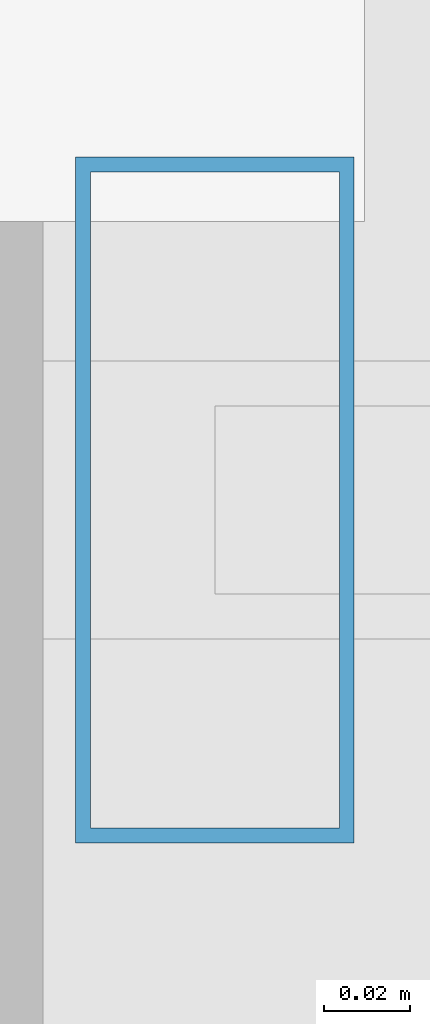
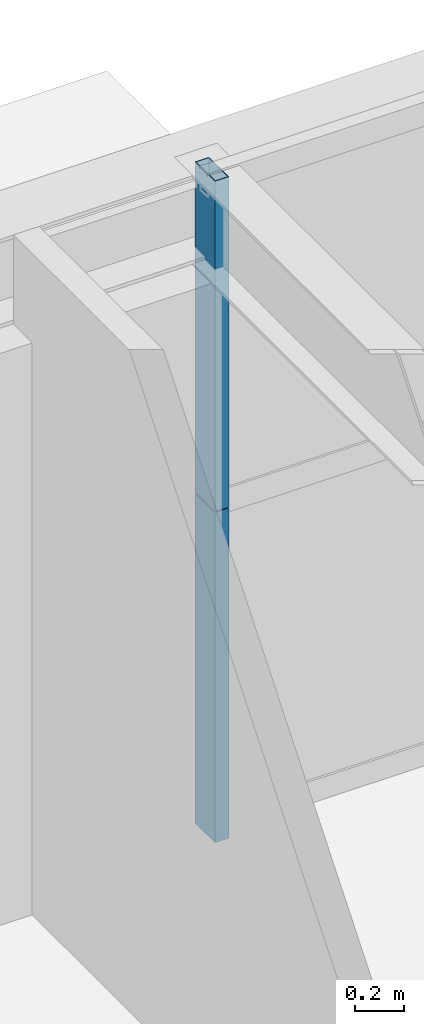
# One storey, part 24 of 37: 2 members, 1 element without a shape of its own.
"""IFC4 building model written with IfcOpenShell, lengths in metres."""

from ifc_helpers import new_model, si_unit, direction, frame, origin, origin_2d, place, context, subcontext, project, spatial, hollow_rectangle, extrude, source, transform, mapped, material, layer, layer_set, material_profile, profile_set, type_object, element, aggregate, save


model = new_model("IFC4")

# Units and contexts
model_context = context("Model", 3, precision=1e-05, world=origin(), true_north=direction((0.0, 1.0)))
body_context = subcontext(model_context, "Body", "Model", "MODEL_VIEW")
ifc_project = project(units=[si_unit("LENGTHUNIT", "METRE"), si_unit("AREAUNIT", "SQUARE_METRE"), si_unit("VOLUMEUNIT", "CUBIC_METRE"), si_unit("PLANEANGLEUNIT", "RADIAN"), si_unit("MASSUNIT", "GRAM", prefix="KILO"), si_unit("THERMODYNAMICTEMPERATUREUNIT", "KELVIN"), si_unit("POWERUNIT", "WATT")], contexts=[model_context])

# Site, building, storey
site_placement = place(None, origin())
site = spatial("IfcSite", under=ifc_project, at=site_placement, CompositionType="ELEMENT")
building_placement = place(site_placement, origin())
building = spatial("IfcBuilding", under=site, at=building_placement, Name="Yuzanri Waterfront Tower", CompositionType="ELEMENT")
storey_placement = place(building_placement, frame((0.0, 0.0, 245.10009765625)))
storey = spatial("IfcBuildingStorey", under=building, at=storey_placement, Name="L65", CompositionType="ELEMENT", Elevation=245.10009765625)

# Curtain wall, members
ifc_material_1 = material(Name="Anodized Architectural Bronze", Category="metal")
ifc_layer = layer(ifc_material_1, 0.159912109375)
ifc_layer_set = layer_set([ifc_layer], Name="Anodized Architectural Bronze")
curtain_wall_type = type_object("IfcCurtainWallType", Name="Anodized Bronze Mid-Rise Residential Acoustic Unitized Curtain Wall 7200", PredefinedType="NOTDEFINED", material=ifc_layer_set)
curtain_wall_placement = place(storey_placement, origin())
curtain_wall = element("IfcCurtainWall", 1, at=curtain_wall_placement, inside=storey, type_object=curtain_wall_type, Name="L65 Curtain Wall CW-L65-NL", PredefinedType="NOTDEFINED")
ifc_material_2 = material(Name="Anodized Architectural Bronze", Category="metal")
ifc_material_profile = material_profile(ifc_material_2, hollow_rectangle(XDim=0.06494140625, YDim=0.159912109375, WallThickness=0.00341796875, at=origin_2d()), Name="CWM 65x160")
ifc_profile_set = profile_set([ifc_material_profile], Name="Anodized Architectural Bronze")
member_type = type_object("IfcMemberType", Name="Anodized Bronze Upper-Zone Curtain-Wall Mullion 65x160", PredefinedType="MULLION", material=ifc_profile_set)
shared_shape = source(origin(), body_context, "Body", "SweptSolid", [
    extrude(hollow_rectangle(XDim=0.06494140625, YDim=0.159912109375, WallThickness=0.00341796875, at=origin_2d()), origin(), (0.0, 0.0, 1.0), 1.637939453125),
])
member_1_placement = place(storey_placement, frame((23.7900390625, 46.25, 0.0), z_axis=(0.0, 0.0, 1.0), x_axis=(1.0, 0.0, 0.0)))
member_1 = element("IfcMember", 2, at=member_1_placement, type_object=member_type, Name="CW-L65-NL Lower Mullion 00", PredefinedType="MULLION", context=body_context, shape_type="MappedRepresentation", body=[
    mapped(shared_shape, transform((0.0, 0.0, 0.0), scale=1.0)),
])
member_2_placement = place(storey_placement, frame((23.7900390625, 46.25, 1.641845703125), z_axis=(0.0, 0.0, 1.0), x_axis=(1.0, 0.0, 0.0)))
member_2 = element("IfcMember", 3, at=member_2_placement, type_object=member_type, Name="CW-L65-NL Upper Mullion 00", PredefinedType="MULLION", context=body_context, shape_type="MappedRepresentation", body=[
    mapped(shared_shape, transform((0.0, 0.0, 0.0), scale=1.0)),
])
aggregate(curtain_wall, [member_1, member_2])

save(model, "model.ifc")
